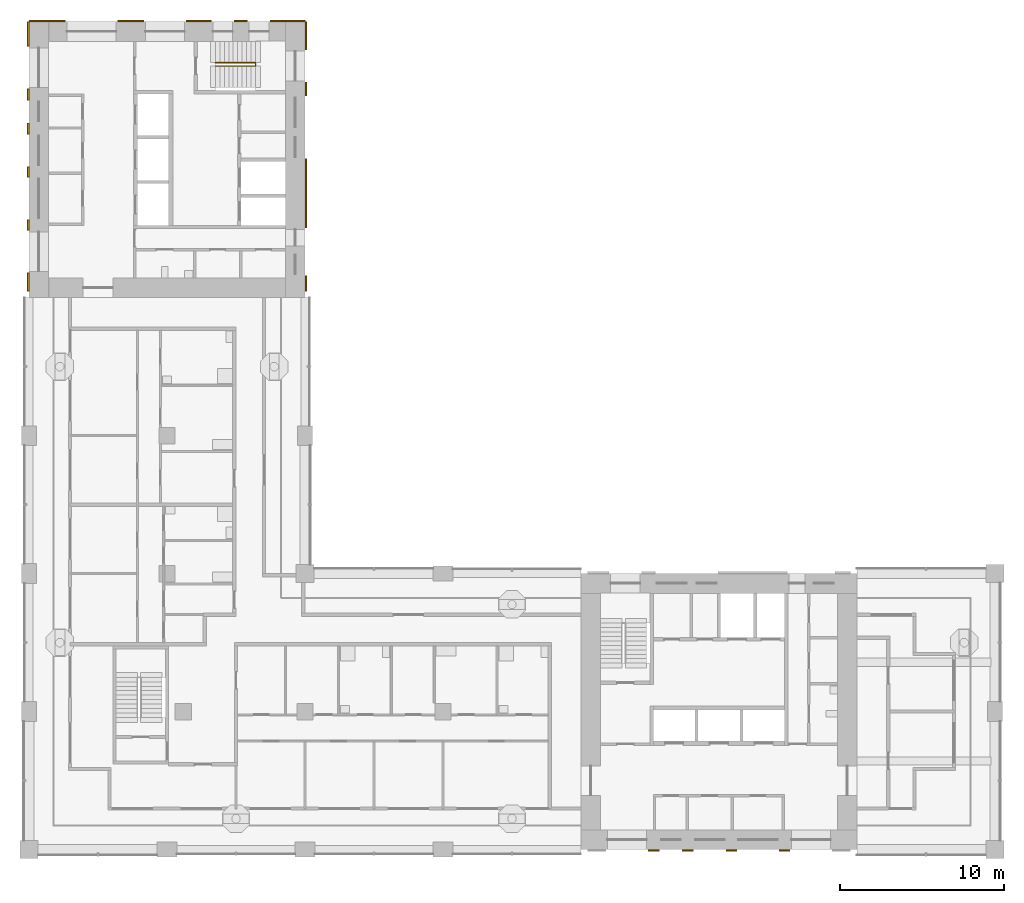
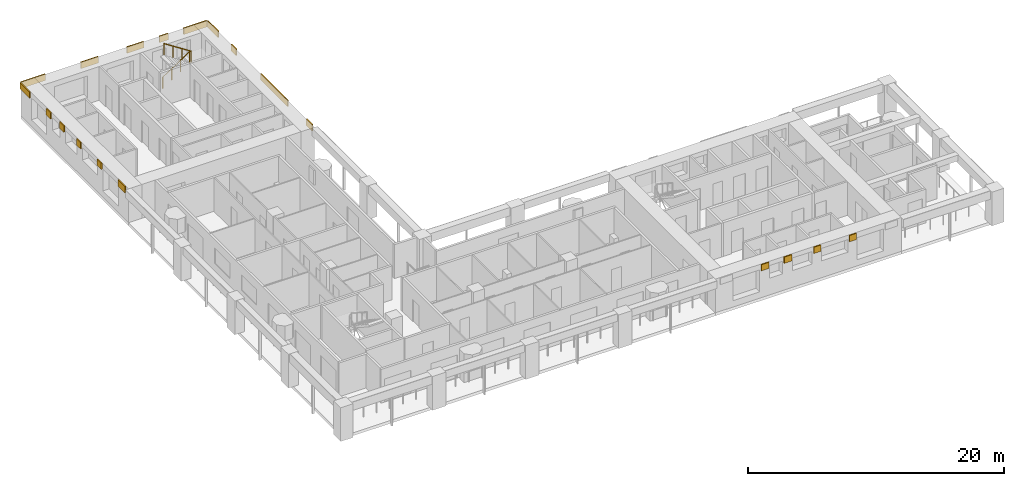
# One storey, part 10 of 13: 19 shading devices, 1 railing.
"""IFC4 building model written with IfcOpenShell, lengths in metres."""

from ifc_helpers import new_model, si_unit, direction, frame, origin, origin_2d, place, context, subcontext, project, spatial, rectangle, circle, extrude, material, layer, layer_set, type_object, element, save


model = new_model("IFC4")

# Units and contexts
model_context = context("Model", 3, precision=1e-05, world=origin(), true_north=direction((0.0, 1.0)))
body_context = subcontext(model_context, "Body", "Model", "MODEL_VIEW")
ifc_project = project(units=[si_unit("LENGTHUNIT", "METRE"), si_unit("AREAUNIT", "SQUARE_METRE"), si_unit("VOLUMEUNIT", "CUBIC_METRE"), si_unit("PLANEANGLEUNIT", "RADIAN"), si_unit("MASSUNIT", "GRAM", prefix="KILO")], contexts=[model_context])

# Site, building, storey
site_placement = place(None, origin())
site = spatial("IfcSite", under=ifc_project, at=site_placement, CompositionType="ELEMENT")
building_placement = place(site_placement, origin())
building = spatial("IfcBuilding", under=site, at=building_placement, Name="Vermilion Gate Residences", CompositionType="ELEMENT")
storey_placement = place(building_placement, frame((0.0, 0.0, 154.699951171875)))
storey = spatial("IfcBuildingStorey", under=building, at=storey_placement, Name="L39", CompositionType="ELEMENT", Elevation=154.699951171875)

# Railing
ifc_material_1 = material(Name="Steel S355", Category="steel")
railing_type = type_object("IfcRailingType", Name="STAIR GUARD 1100 STEEL", PredefinedType="GUARDRAIL", material=ifc_material_1)
railing_placement = place(storey_placement, frame((19.75, 56.300048828125, 0.175048828125)))
element("IfcRailing", 1, at=railing_placement, inside=storey, type_object=railing_type, Name="Stair well guard STB1-39", PredefinedType="GUARDRAIL", context=body_context, shape_type="SweptSolid", body=[
    extrude(circle(Radius=0.02392578125, at=origin_2d()), frame((0.0, 0.0, 1.076171875), z_axis=(0.839153699163, 0.0, 0.543894354798), x_axis=(0.0, 1.0, 0.0)), (0.0, 0.0, 1.0), 2.895751953125),
    extrude(circle(Radius=0.02392578125, at=origin_2d()), frame((2.429931640625, 0.0, 2.65087890625), z_axis=(0.0, -0.752405939678, 0.658699705433), x_axis=(1.0, 0.0, 0.0)), (0.0, 0.0, 1.0), 0.265869140625),
    extrude(circle(Radius=0.02392578125, at=origin_2d()), frame((2.429931640625, -0.199951171875, 2.826171875), z_axis=(-0.839153699163, 0.0, 0.543894354798), x_axis=(0.0, -1.0, 0.0)), (0.0, 0.0, 1.0), 2.895751953125),
    extrude(circle(Radius=0.02099609375, at=origin_2d()), origin(), (0.0, 0.0, 1.0), 1.052001953125),
    extrude(circle(Radius=0.02099609375, at=origin_2d()), frame((0.81005859375, 0.0, 0.52490234375)), (0.0, 0.0, 1.0), 1.052001953125),
    extrude(circle(Radius=0.02099609375, at=origin_2d()), frame((1.619873046875, 0.0, 1.050048828125)), (0.0, 0.0, 1.0), 1.052001953125),
    extrude(circle(Radius=0.02099609375, at=origin_2d()), frame((2.429931640625, 0.0, 1.574951171875)), (0.0, 0.0, 1.0), 1.052001953125),
    extrude(circle(Radius=0.02099609375, at=origin_2d()), frame((2.429931640625, -0.199951171875, 1.75)), (0.0, 0.0, 1.0), 1.052001953125),
    extrude(circle(Radius=0.02099609375, at=origin_2d()), frame((1.619873046875, -0.199951171875, 2.27490234375)), (0.0, 0.0, 1.0), 1.052001953125),
    extrude(circle(Radius=0.02099609375, at=origin_2d()), frame((0.81005859375, -0.199951171875, 2.800048828125)), (0.0, 0.0, 1.0), 1.052001953125),
    extrude(circle(Radius=0.02099609375, at=origin_2d()), frame((0.0, -0.199951171875, 3.324951171875)), (0.0, 0.0, 1.0), 1.052001953125),
])

# Shading devices
ifc_material_2 = material(Name="Extruded terracotta", Category="masonry")
ifc_layer = layer(ifc_material_2, 0.10009765625)
ifc_layer_set = layer_set([ifc_layer], Name="TERRACOTTA SPANDREL BAND 600 X 100")
shading_device_type = type_object("IfcShadingDeviceType", Name="TERRACOTTA SPANDREL BAND 600 X 100", PredefinedType="USERDEFINED", material=ifc_layer_set)
shading_device_1_placement = place(storey_placement, frame((46.4375, 8.35009765625, 2.6201171875), z_axis=(0.0, 0.0, 1.0), x_axis=(1.0, 0.0, 0.0)))
element("IfcShadingDevice", 2, at=shading_device_1_placement, inside=storey, type_object=shading_device_type, Name="SPANDREL BAND", ObjectType="BAND", PredefinedType="USERDEFINED", context=body_context, shape_type="SweptSolid", body=[
    extrude(rectangle(XDim=0.675048828125, YDim=0.10009765625, at=origin_2d()), origin(), (0.0, 0.0, 1.0), 0.60009765625),
])
shading_device_2_placement = place(storey_placement, frame((48.510009765625, 8.35009765625, 2.6201171875), z_axis=(0.0, 0.0, 1.0), x_axis=(1.0, 0.0, 0.0)))
element("IfcShadingDevice", 3, at=shading_device_2_placement, inside=storey, type_object=shading_device_type, Name="SPANDREL BAND", ObjectType="BAND", PredefinedType="USERDEFINED", context=body_context, shape_type="SweptSolid", body=[
    extrude(rectangle(XDim=0.669921875, YDim=0.10009765625, at=origin_2d()), origin(), (0.0, 0.0, 1.0), 0.60009765625),
])
shading_device_3_placement = place(storey_placement, frame((51.157470703125, 8.35009765625, 2.6201171875), z_axis=(0.0, 0.0, 1.0), x_axis=(1.0, 0.0, 0.0)))
element("IfcShadingDevice", 4, at=shading_device_3_placement, inside=storey, type_object=shading_device_type, Name="SPANDREL BAND", ObjectType="BAND", PredefinedType="USERDEFINED", context=body_context, shape_type="SweptSolid", body=[
    extrude(rectangle(XDim=0.625, YDim=0.10009765625, at=origin_2d()), origin(), (0.0, 0.0, 1.0), 0.60009765625),
])
shading_device_4_placement = place(storey_placement, frame((54.385009765625, 8.35009765625, 2.6201171875), z_axis=(0.0, 0.0, 1.0), x_axis=(1.0, 0.0, 0.0)))
element("IfcShadingDevice", 5, at=shading_device_4_placement, inside=storey, type_object=shading_device_type, Name="SPANDREL BAND", ObjectType="BAND", PredefinedType="USERDEFINED", context=body_context, shape_type="SweptSolid", body=[
    extrude(rectangle(XDim=0.6298828125, YDim=0.10009765625, at=origin_2d()), origin(), (0.0, 0.0, 1.0), 0.60009765625),
])
shading_device_5_placement = place(storey_placement, frame((9.50244140625, 58.85009765625, 2.6201171875), z_axis=(0.0, 0.0, 1.0), x_axis=(1.0, 0.0, 0.0)))
element("IfcShadingDevice", 6, at=shading_device_5_placement, inside=storey, type_object=shading_device_type, Name="SPANDREL BAND", ObjectType="BAND", PredefinedType="USERDEFINED", context=body_context, shape_type="SweptSolid", body=[
    extrude(rectangle(XDim=2.205078125, YDim=0.10009765625, at=origin_2d()), origin(), (0.0, 0.0, 1.0), 0.60009765625),
])
shading_device_6_placement = place(storey_placement, frame((14.590087890625, 58.85009765625, 2.6201171875), z_axis=(0.0, 0.0, 1.0), x_axis=(1.0, 0.0, 0.0)))
element("IfcShadingDevice", 7, at=shading_device_6_placement, inside=storey, type_object=shading_device_type, Name="SPANDREL BAND", ObjectType="BAND", PredefinedType="USERDEFINED", context=body_context, shape_type="SweptSolid", body=[
    extrude(rectangle(XDim=1.570068359375, YDim=0.10009765625, at=origin_2d()), origin(), (0.0, 0.0, 1.0), 0.60009765625),
])
shading_device_7_placement = place(storey_placement, frame((18.734130859375, 58.85009765625, 2.6201171875), z_axis=(0.0, 0.0, 1.0), x_axis=(1.0, 0.0, 0.0)))
element("IfcShadingDevice", 8, at=shading_device_7_placement, inside=storey, type_object=shading_device_type, Name="SPANDREL BAND", ObjectType="BAND", PredefinedType="USERDEFINED", context=body_context, shape_type="SweptSolid", body=[
    extrude(rectangle(XDim=1.518310546875, YDim=0.10009765625, at=origin_2d()), origin(), (0.0, 0.0, 1.0), 0.60009765625),
])
shading_device_8_placement = place(storey_placement, frame((21.294921875, 58.85009765625, 2.6201171875), z_axis=(0.0, 0.0, 1.0), x_axis=(1.0, 0.0, 0.0)))
element("IfcShadingDevice", 9, at=shading_device_8_placement, inside=storey, type_object=shading_device_type, Name="SPANDREL BAND", ObjectType="BAND", PredefinedType="USERDEFINED", context=body_context, shape_type="SweptSolid", body=[
    extrude(rectangle(XDim=0.803466796875, YDim=0.10009765625, at=origin_2d()), origin(), (0.0, 0.0, 1.0), 0.60009765625),
])
shading_device_9_placement = place(storey_placement, frame((24.1484375, 58.85009765625, 2.6201171875), z_axis=(0.0, 0.0, 1.0), x_axis=(1.0, 0.0, 0.0)))
element("IfcShadingDevice", 10, at=shading_device_9_placement, inside=storey, type_object=shading_device_type, Name="SPANDREL BAND", ObjectType="BAND", PredefinedType="USERDEFINED", context=body_context, shape_type="SweptSolid", body=[
    extrude(rectangle(XDim=2.103271484375, YDim=0.10009765625, at=origin_2d()), origin(), (0.0, 0.0, 1.0), 0.60009765625),
])
shading_device_10_placement = place(storey_placement, frame((8.35009765625, 42.949951171875, 2.6201171875), z_axis=(0.0, 0.0, 1.0), x_axis=(0.0, 1.0, 0.0)))
element("IfcShadingDevice", 11, at=shading_device_10_placement, inside=storey, type_object=shading_device_type, Name="SPANDREL BAND", ObjectType="BAND", PredefinedType="USERDEFINED", context=body_context, shape_type="SweptSolid", body=[
    extrude(rectangle(XDim=1.10009765625, YDim=0.10009765625, at=origin_2d()), origin(), (0.0, 0.0, 1.0), 0.60009765625),
])
shading_device_11_placement = place(storey_placement, frame((8.35009765625, 46.4150390625, 2.6201171875), z_axis=(0.0, 0.0, 1.0), x_axis=(0.0, 1.0, 0.0)))
element("IfcShadingDevice", 12, at=shading_device_11_placement, inside=storey, type_object=shading_device_type, Name="SPANDREL BAND", ObjectType="BAND", PredefinedType="USERDEFINED", context=body_context, shape_type="SweptSolid", body=[
    extrude(rectangle(XDim=0.6298828125, YDim=0.10009765625, at=origin_2d()), origin(), (0.0, 0.0, 1.0), 0.60009765625),
])
shading_device_12_placement = place(storey_placement, frame((8.35009765625, 49.642578125, 2.6201171875), z_axis=(0.0, 0.0, 1.0), x_axis=(0.0, 1.0, 0.0)))
element("IfcShadingDevice", 13, at=shading_device_12_placement, inside=storey, type_object=shading_device_type, Name="SPANDREL BAND", ObjectType="BAND", PredefinedType="USERDEFINED", context=body_context, shape_type="SweptSolid", body=[
    extrude(rectangle(XDim=0.625, YDim=0.10009765625, at=origin_2d()), origin(), (0.0, 0.0, 1.0), 0.60009765625),
])
shading_device_13_placement = place(storey_placement, frame((8.35009765625, 52.2900390625, 2.6201171875), z_axis=(0.0, 0.0, 1.0), x_axis=(0.0, 1.0, 0.0)))
element("IfcShadingDevice", 14, at=shading_device_13_placement, inside=storey, type_object=shading_device_type, Name="SPANDREL BAND", ObjectType="BAND", PredefinedType="USERDEFINED", context=body_context, shape_type="SweptSolid", body=[
    extrude(rectangle(XDim=0.669921875, YDim=0.10009765625, at=origin_2d()), origin(), (0.0, 0.0, 1.0), 0.60009765625),
])
shading_device_14_placement = place(storey_placement, frame((8.35009765625, 54.362548828125, 2.6201171875), z_axis=(0.0, 0.0, 1.0), x_axis=(0.0, 1.0, 0.0)))
element("IfcShadingDevice", 15, at=shading_device_14_placement, inside=storey, type_object=shading_device_type, Name="SPANDREL BAND", ObjectType="BAND", PredefinedType="USERDEFINED", context=body_context, shape_type="SweptSolid", body=[
    extrude(rectangle(XDim=0.675048828125, YDim=0.10009765625, at=origin_2d()), origin(), (0.0, 0.0, 1.0), 0.60009765625),
])
shading_device_15_placement = place(storey_placement, frame((8.35009765625, 58.050048828125, 2.6201171875), z_axis=(0.0, 0.0, 1.0), x_axis=(0.0, 1.0, 0.0)))
element("IfcShadingDevice", 16, at=shading_device_15_placement, inside=storey, type_object=shading_device_type, Name="SPANDREL BAND", ObjectType="BAND", PredefinedType="USERDEFINED", context=body_context, shape_type="SweptSolid", body=[
    extrude(rectangle(XDim=1.5, YDim=0.10009765625, at=origin_2d()), origin(), (0.0, 0.0, 1.0), 0.60009765625),
])
shading_device_16_placement = place(storey_placement, frame((25.25, 42.862548828125, 2.6201171875), z_axis=(0.0, 0.0, 1.0), x_axis=(0.0, 1.0, 0.0)))
element("IfcShadingDevice", 17, at=shading_device_16_placement, inside=storey, type_object=shading_device_type, Name="SPANDREL BAND", ObjectType="BAND", PredefinedType="USERDEFINED", context=body_context, shape_type="SweptSolid", body=[
    extrude(rectangle(XDim=0.925048828125, YDim=0.10009765625, at=origin_2d()), origin(), (0.0, 0.0, 1.0), 0.60009765625),
])
shading_device_17_placement = place(storey_placement, frame((25.25, 48.35009765625, 2.6201171875), z_axis=(0.0, 0.0, 1.0), x_axis=(0.0, 1.0, 0.0)))
element("IfcShadingDevice", 18, at=shading_device_17_placement, inside=storey, type_object=shading_device_type, Name="SPANDREL BAND", ObjectType="BAND", PredefinedType="USERDEFINED", context=body_context, shape_type="SweptSolid", body=[
    extrude(rectangle(XDim=4.199951171875, YDim=0.10009765625, at=origin_2d()), origin(), (0.0, 0.0, 1.0), 0.60009765625),
])
shading_device_18_placement = place(storey_placement, frame((25.25, 54.6875, 2.6201171875), z_axis=(0.0, 0.0, 1.0), x_axis=(0.0, 1.0, 0.0)))
element("IfcShadingDevice", 19, at=shading_device_18_placement, inside=storey, type_object=shading_device_type, Name="SPANDREL BAND", ObjectType="BAND", PredefinedType="USERDEFINED", context=body_context, shape_type="SweptSolid", body=[
    extrude(rectangle(XDim=0.824951171875, YDim=0.10009765625, at=origin_2d()), origin(), (0.0, 0.0, 1.0), 0.60009765625),
])
shading_device_19_placement = place(storey_placement, frame((25.25, 57.949951171875, 2.6201171875), z_axis=(0.0, 0.0, 1.0), x_axis=(0.0, 1.0, 0.0)))
element("IfcShadingDevice", 20, at=shading_device_19_placement, inside=storey, type_object=shading_device_type, Name="SPANDREL BAND", ObjectType="BAND", PredefinedType="USERDEFINED", context=body_context, shape_type="SweptSolid", body=[
    extrude(rectangle(XDim=1.699951171875, YDim=0.10009765625, at=origin_2d()), origin(), (0.0, 0.0, 1.0), 0.60009765625),
])

save(model, "model.ifc")
